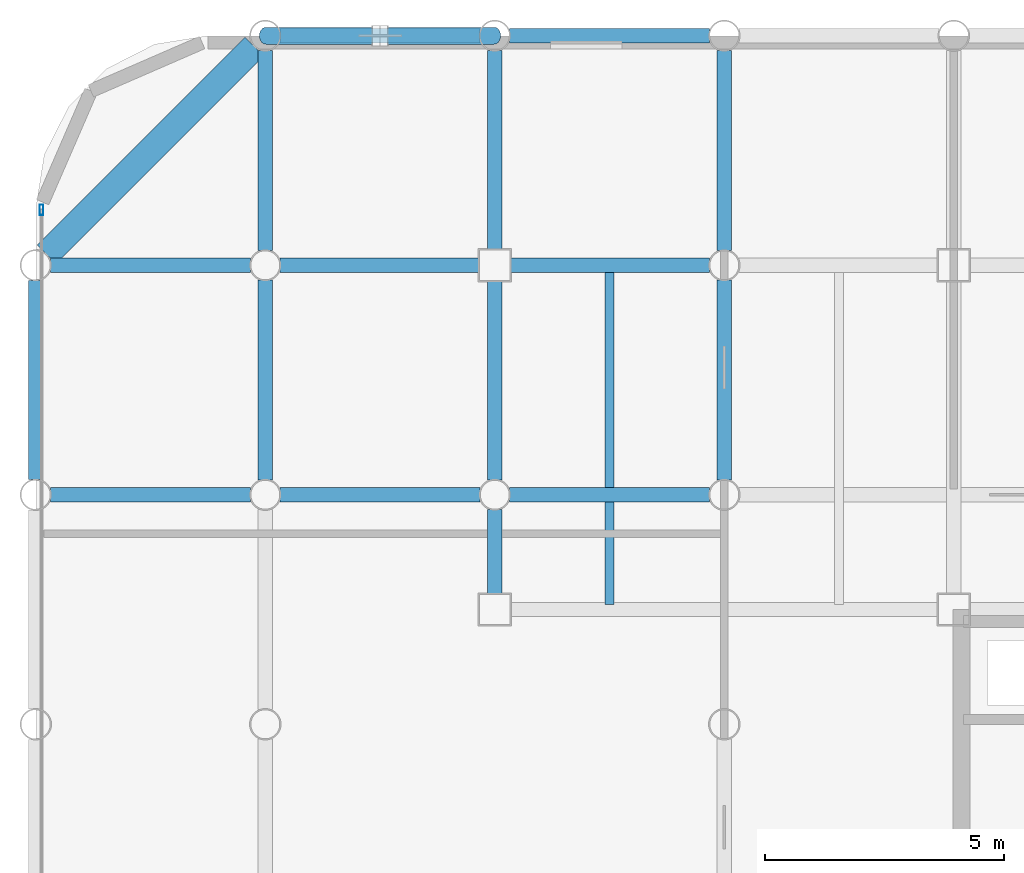
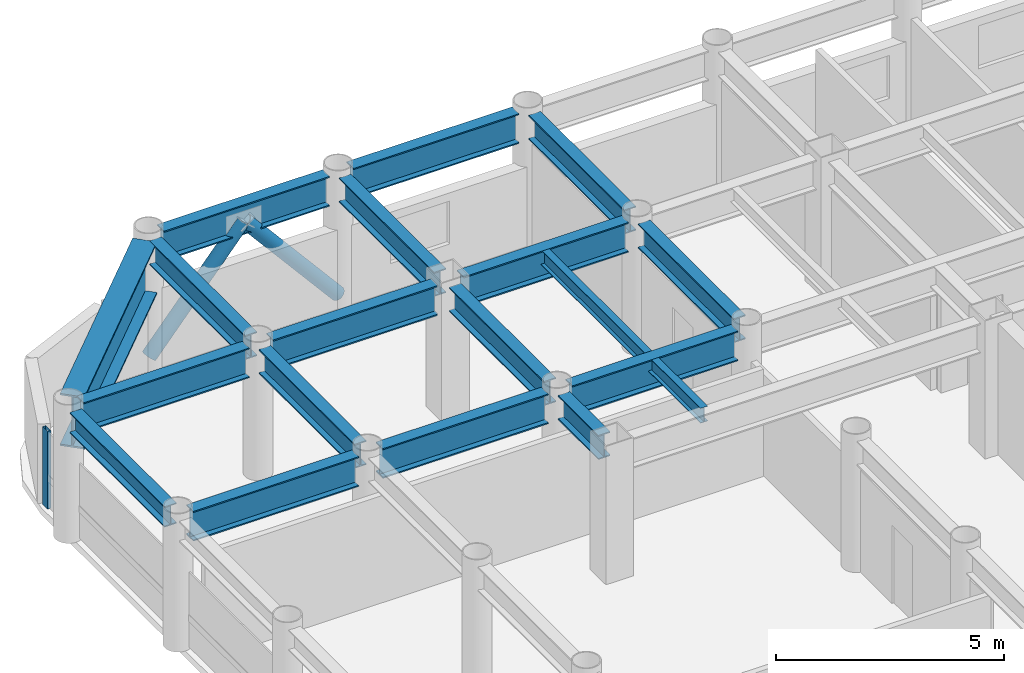
# One storey, part 9 of 20: 18 beams, 3 members, 1 element without a shape of its own.
"""IFC4 building model written with IfcOpenShell, lengths in metres."""

from ifc_helpers import new_model, si_unit, direction, frame, origin, origin_2d, place, context, subcontext, project, spatial, hollow_rectangle, hollow_circle, i_section, extrude, material, layer, layer_set, material_profile, profile_set, type_object, element, aggregate, save


model = new_model("IFC4")

# Units and contexts
model_context = context("Model", 3, precision=1e-05, world=origin(), true_north=direction((0.0, 1.0)))
body_context = subcontext(model_context, "Body", "Model", "MODEL_VIEW")
ifc_project = project(units=[si_unit("LENGTHUNIT", "METRE"), si_unit("AREAUNIT", "SQUARE_METRE"), si_unit("VOLUMEUNIT", "CUBIC_METRE"), si_unit("PLANEANGLEUNIT", "RADIAN"), si_unit("MASSUNIT", "GRAM", prefix="KILO")], contexts=[model_context])

# Site, building, storey
site_placement = place(None, origin())
site = spatial("IfcSite", under=ifc_project, at=site_placement, CompositionType="ELEMENT")
building_placement = place(site_placement, origin())
building = spatial("IfcBuilding", under=site, at=building_placement, Name="Kallvorn Hotel Tower", CompositionType="ELEMENT")
storey_placement = place(building_placement, frame((0.0, 0.0, 172.89990234375)))
storey = spatial("IfcBuildingStorey", under=building, at=storey_placement, Name="L43", CompositionType="ELEMENT", Elevation=172.89990234375)

# Beams
ifc_material_1 = material(Name="Structural steel S355JR", Category="steel")
ifc_material_profile_1 = material_profile(ifc_material_1, i_section(OverallWidth=0.300048828125, OverallDepth=0.550048828125, WebThickness=0.014892578125, FlangeThickness=0.029052734375, at=origin_2d()), Name="HE 550 B")
ifc_profile_set_1 = profile_set([ifc_material_profile_1], Name="Structural steel S355JR")
beam_type_1 = type_object("IfcBeamType", Name="BM_HE550B", PredefinedType="SPANDREL", material=ifc_profile_set_1)
beam_1_placement = place(storey_placement, frame((-33.60009765625, 9.919921875, 3.2451171875), z_axis=(0.0, 1.0, 0.0), x_axis=(-1.0, 0.0, 0.0)))
element("IfcBeam", 1, at=beam_1_placement, inside=storey, type_object=beam_type_1, Name="L44 Perimeter Spandrel 180", PredefinedType="SPANDREL", context=body_context, shape_type="SweptSolid", body=[
    extrude(i_section(OverallWidth=0.300048828125, OverallDepth=0.550048828125, WebThickness=0.014892578125, FlangeThickness=0.029052734375, at=origin_2d()), origin(), (0.0, 0.0, 1.0), 4.16015625),
])
ifc_material_2 = material(Name="Structural steel S355JR", Category="steel")
ifc_material_profile_2 = material_profile(ifc_material_2, i_section(OverallWidth=0.300048828125, OverallDepth=0.64990234375, WebThickness=0.01611328125, FlangeThickness=0.031005859375, at=origin_2d()), Name="HE 650 B")
ifc_profile_set_2 = profile_set([ifc_material_profile_2], Name="Structural steel S355JR")
beam_type_2 = type_object("IfcBeamType", Name="BM_HE650B", PredefinedType="BEAM", material=ifc_profile_set_2)
for number, where, z_axis, x_axis, name in (
    (2, (-28.800048828125, 9.905029296875, 3.195068359375), (0.0, 1.0, 0.0), (-1.0, 0.0, 0.0), "L44 Primary Y-Girder 80"),
    (3, (-28.800048828125, 14.705078125, 3.195068359375), (0.0, 1.0, 0.0), (-1.0, 0.0, 0.0), "L44 Primary Y-Girder 81"),
):
    element("IfcBeam", number, at=place(storey_placement, frame(where, z_axis=z_axis, x_axis=x_axis)), inside=storey, type_object=beam_type_2, Name=name, PredefinedType="BEAM", context=body_context, shape_type="SweptSolid", body=[
        extrude(i_section(OverallWidth=0.300048828125, OverallDepth=0.64990234375, WebThickness=0.01611328125, FlangeThickness=0.031005859375, at=origin_2d()), origin(), (0.0, 0.0, 1.0), 4.18994140625),
    ])
beam_2_placement = place(storey_placement, frame((-24.0, 7.52490234375, 3.195068359375), z_axis=(0.0, 1.0, 0.0), x_axis=(-1.0, 0.0, 0.0)))
element("IfcBeam", 4, at=beam_2_placement, inside=storey, type_object=beam_type_2, Name="L44 Primary Y-Girder 86", PredefinedType="BEAM", context=body_context, shape_type="SweptSolid", body=[
    extrude(i_section(OverallWidth=0.300048828125, OverallDepth=0.64990234375, WebThickness=0.01611328125, FlangeThickness=0.031005859375, at=origin_2d()), origin(), (0.0, 0.0, 1.0), 1.77001953125),
])
for number, where, z_axis, x_axis, name in (
    (5, (-24.0, 9.905029296875, 3.195068359375), (0.0, 1.0, 0.0), (-1.0, 0.0, 0.0), "L44 Primary Y-Girder 87"),
    (6, (-24.0, 14.72509765625, 3.195068359375), (0.0, 1.0, 0.0), (-1.0, 0.0, 0.0), "L44 Primary Y-Girder 88"),
):
    element("IfcBeam", number, at=place(storey_placement, frame(where, z_axis=z_axis, x_axis=x_axis)), inside=storey, type_object=beam_type_2, Name=name, PredefinedType="BEAM", context=body_context, shape_type="SweptSolid", body=[
        extrude(i_section(OverallWidth=0.300048828125, OverallDepth=0.64990234375, WebThickness=0.01611328125, FlangeThickness=0.031005859375, at=origin_2d()), origin(), (0.0, 0.0, 1.0), 4.169921875),
    ])
for number, where, z_axis, x_axis, name in (
    (7, (-19.199951171875, 9.905029296875, 3.195068359375), (0.0, 1.0, 0.0), (-1.0, 0.0, 0.0), "L44 Primary Y-Girder 96"),
    (8, (-19.199951171875, 14.705078125, 3.195068359375), (0.0, 1.0, 0.0), (-1.0, 0.0, 0.0), "L44 Primary Y-Girder 97"),
):
    element("IfcBeam", number, at=place(storey_placement, frame(where, z_axis=z_axis, x_axis=x_axis)), inside=storey, type_object=beam_type_2, Name=name, PredefinedType="BEAM", context=body_context, shape_type="SweptSolid", body=[
        extrude(i_section(OverallWidth=0.300048828125, OverallDepth=0.64990234375, WebThickness=0.01611328125, FlangeThickness=0.031005859375, at=origin_2d()), origin(), (0.0, 0.0, 1.0), 4.18994140625),
    ])
ifc_material_3 = material(Name="Structural steel S355JR", Category="steel")
ifc_material_profile_3 = material_profile(ifc_material_3, i_section(OverallWidth=0.300048828125, OverallDepth=0.800048828125, WebThickness=0.017578125, FlangeThickness=0.032958984375, at=origin_2d()), Name="HE 800 B")
ifc_profile_set_3 = profile_set([ifc_material_profile_3], Name="Structural steel S355JR")
beam_type_3 = type_object("IfcBeamType", Name="BM_HE800B", PredefinedType="BEAM", material=ifc_profile_set_3)
beam_3_placement = place(storey_placement, frame((-33.294921875, 9.60009765625, 3.1201171875), z_axis=(1.0, 0.0, 0.0), x_axis=(0.0, 1.0, 0.0)))
element("IfcBeam", 9, at=beam_3_placement, inside=storey, type_object=beam_type_3, Name="L44 Primary X-Girder 42", PredefinedType="BEAM", context=body_context, shape_type="SweptSolid", body=[
    extrude(i_section(OverallWidth=0.300048828125, OverallDepth=0.800048828125, WebThickness=0.017578125, FlangeThickness=0.032958984375, at=origin_2d()), origin(), (0.0, 0.0, 1.0), 4.18994140625),
])
for number, where, z_axis, x_axis, name in (
    (10, (-28.4951171875, 9.60009765625, 3.1201171875), (1.0, 0.0, 0.0), (0.0, 1.0, 0.0), "L44 Primary X-Girder 43"),
    (11, (-23.695068359375, 9.60009765625, 3.1201171875), (1.0, 0.0, 0.0), (0.0, 1.0, 0.0), "L44 Primary X-Girder 44"),
):
    element("IfcBeam", number, at=place(storey_placement, frame(where, z_axis=z_axis, x_axis=x_axis)), inside=storey, type_object=beam_type_3, Name=name, PredefinedType="BEAM", context=body_context, shape_type="SweptSolid", body=[
        extrude(i_section(OverallWidth=0.300048828125, OverallDepth=0.800048828125, WebThickness=0.017578125, FlangeThickness=0.032958984375, at=origin_2d()), origin(), (0.0, 0.0, 1.0), 4.190185546875),
    ])
beam_4_placement = place(storey_placement, frame((-33.294921875, 14.39990234375, 3.1201171875), z_axis=(1.0, 0.0, 0.0), x_axis=(0.0, 1.0, 0.0)))
element("IfcBeam", 12, at=beam_4_placement, inside=storey, type_object=beam_type_3, Name="L44 Primary X-Girder 51", PredefinedType="BEAM", context=body_context, shape_type="SweptSolid", body=[
    extrude(i_section(OverallWidth=0.300048828125, OverallDepth=0.800048828125, WebThickness=0.017578125, FlangeThickness=0.032958984375, at=origin_2d()), origin(), (0.0, 0.0, 1.0), 4.18994140625),
])
for number, where, z_axis, x_axis, name in (
    (13, (-28.4951171875, 14.39990234375, 3.1201171875), (1.0, 0.0, 0.0), (0.0, 1.0, 0.0), "L44 Primary X-Girder 52"),
    (14, (-23.675048828125, 14.39990234375, 3.1201171875), (1.0, 0.0, 0.0), (0.0, 1.0, 0.0), "L44 Primary X-Girder 53"),
):
    element("IfcBeam", number, at=place(storey_placement, frame(where, z_axis=z_axis, x_axis=x_axis)), inside=storey, type_object=beam_type_3, Name=name, PredefinedType="BEAM", context=body_context, shape_type="SweptSolid", body=[
        extrude(i_section(OverallWidth=0.300048828125, OverallDepth=0.800048828125, WebThickness=0.017578125, FlangeThickness=0.032958984375, at=origin_2d()), origin(), (0.0, 0.0, 1.0), 4.170166015625),
    ])
for number, where, z_axis, x_axis, name in (
    (15, (-28.4951171875, 19.199951171875, 3.1201171875), (1.0, 0.0, 0.0), (0.0, 1.0, 0.0), "L44 Primary X-Girder 61"),
    (16, (-23.695068359375, 19.199951171875, 3.1201171875), (1.0, 0.0, 0.0), (0.0, 1.0, 0.0), "L44 Primary X-Girder 62"),
):
    element("IfcBeam", number, at=place(storey_placement, frame(where, z_axis=z_axis, x_axis=x_axis)), inside=storey, type_object=beam_type_3, Name=name, PredefinedType="BEAM", context=body_context, shape_type="SweptSolid", body=[
        extrude(i_section(OverallWidth=0.300048828125, OverallDepth=0.800048828125, WebThickness=0.017578125, FlangeThickness=0.032958984375, at=origin_2d()), origin(), (0.0, 0.0, 1.0), 4.190185546875),
    ])
ifc_material_4 = material(Name="Structural steel S355JR", Category="steel")
ifc_material_profile_4 = material_profile(ifc_material_4, i_section(OverallWidth=0.179931640625, OverallDepth=0.39990234375, WebThickness=0.008544921875, FlangeThickness=0.013427734375, at=origin_2d()), Name="IPE 400")
ifc_profile_set_4 = profile_set([ifc_material_profile_4], Name="Structural steel S355JR")
beam_type_4 = type_object("IfcBeamType", Name="BM_IPE400", PredefinedType="JOIST", material=ifc_profile_set_4)
beam_5_placement = place(storey_placement, frame((-21.60009765625, 7.300048828125, 3.320068359375), z_axis=(0.0, 1.0, 0.0), x_axis=(-1.0, 0.0, 0.0)))
element("IfcBeam", 17, at=beam_5_placement, inside=storey, type_object=beam_type_4, Name="L44 Secondary Composite Joist 193", PredefinedType="JOIST", context=body_context, shape_type="SweptSolid", body=[
    extrude(i_section(OverallWidth=0.179931640625, OverallDepth=0.39990234375, WebThickness=0.008544921875, FlangeThickness=0.013427734375, at=origin_2d()), origin(), (0.0, 0.0, 1.0), 7.0),
])
ifc_material_5 = material(Name="Structural steel S355JR", Category="steel")
ifc_material_profile_5 = material_profile(ifc_material_5, i_section(OverallWidth=0.550048828125, OverallDepth=1.39990234375, WebThickness=0.02490234375, FlangeThickness=0.044921875, at=origin_2d()), Name="PG 1400x550x25x45")
ifc_profile_set_5 = profile_set([ifc_material_profile_5], Name="Structural steel S355JR")
beam_type_5 = type_object("IfcBeamType", Name="BM_PG_1400", PredefinedType="BEAM", material=ifc_profile_set_5)
beam_6_placement = place(storey_placement, frame((-33.373779296875, 14.626220703125, 2.820068359375), z_axis=(0.707106781187, 0.707106781187, 0.0), x_axis=(-0.707106781187, 0.707106781187, 0.0)))
element("IfcBeam", 18, at=beam_6_placement, inside=storey, type_object=beam_type_5, Name="L44 Rounded Corner Tie Beam 190", PredefinedType="BEAM", context=body_context, shape_type="SweptSolid", body=[
    extrude(i_section(OverallWidth=0.550048828125, OverallDepth=1.39990234375, WebThickness=0.02490234375, FlangeThickness=0.044921875, at=origin_2d()), origin(), (0.0, 0.0, 1.0), 6.148193359375),
])

# Curtain wall, member
ifc_material_6 = material(Name="Thermally broken black-anodised aluminium AA 6063-T6", Category="aluminium")
ifc_layer = layer(ifc_material_6, 0.2099609375)
ifc_layer_set = layer_set([ifc_layer], Name="CW_SYS_4_HOTEL_MID")
curtain_wall_type = type_object("IfcCurtainWallType", Name="CW_SYS_4_HOTEL_MID", PredefinedType="USERDEFINED", material=ifc_layer_set)
curtain_wall_placement = place(storey_placement, origin())
curtain_wall = element("IfcCurtainWall", 19, at=curtain_wall_placement, inside=storey, type_object=curtain_wall_type, Name="L43 Dark-Glass Curtain Wall CW-L43-WN", ObjectType="UNITISED CURTAIN WALL", PredefinedType="USERDEFINED")
ifc_material_7 = material(Name="Thermally broken black-anodised aluminium AA 6063-T6", Category="aluminium")
ifc_material_profile_6 = material_profile(ifc_material_7, hollow_rectangle(XDim=0.080078125, YDim=0.219970703125, WallThickness=0.0048828125, at=origin_2d()), Name="MUL 220x80")
ifc_profile_set_6 = profile_set([ifc_material_profile_6], Name="Thermally broken black-anodised aluminium AA 6063-T6")
member_type_1 = type_object("IfcMemberType", Name="CW_MULLION_220x80", PredefinedType="MULLION", material=ifc_profile_set_6)
member_placement = place(storey_placement, frame((-33.47998046875, 15.56005859375, 0.02001953125), z_axis=(0.0, 0.0, 1.0), x_axis=(1.0, 0.0, 0.0)))
member = element("IfcMember", 20, at=member_placement, type_object=member_type_1, Name="CW-L43-WN Mullion 01", PredefinedType="MULLION", context=body_context, shape_type="SweptSolid", body=[
    extrude(hollow_rectangle(XDim=0.080078125, YDim=0.219970703125, WallThickness=0.0048828125, at=origin_2d()), origin(), (0.0, 0.0, 1.0), 2.080078125),
])
aggregate(curtain_wall, [member])

# Members
ifc_material_8 = material(Name="Structural steel S355J2H", Category="steel")
ifc_material_profile_7 = material_profile(ifc_material_8, hollow_circle(Radius=0.177734375, WallThickness=0.01416015625, at=origin_2d()), Name="CHS 355.6x14.2")
ifc_profile_set_7 = profile_set([ifc_material_profile_7], Name="Structural steel S355J2H")
member_type_2 = type_object("IfcMemberType", Name="MBR_EXO_CHS355", PredefinedType="BRACE", material=ifc_profile_set_7)
for number, where, z_axis, x_axis, name in (
    (21, (-28.787109375, 19.199951171875, 0.1953125), (0.646800487591, 0.0, 0.762659248453), (0.0, 1.0, 0.0), "L43 Exoskeleton K-Brace N1A"),
    (22, (-24.012939453125, 19.199951171875, 0.1953125), (-0.646800487591, 0.0, 0.762659248453), (0.0, -1.0, 0.0), "L43 Exoskeleton K-Brace N1B"),
):
    element("IfcMember", number, at=place(storey_placement, frame(where, z_axis=z_axis, x_axis=x_axis)), inside=storey, type_object=member_type_2, Name=name, PredefinedType="BRACE", context=body_context, shape_type="SweptSolid", body=[
        extrude(hollow_circle(Radius=0.177734375, WallThickness=0.01416015625, at=origin_2d()), origin(), (0.0, 0.0, 1.0), 3.6708984375),
    ])

save(model, "model.ifc")
